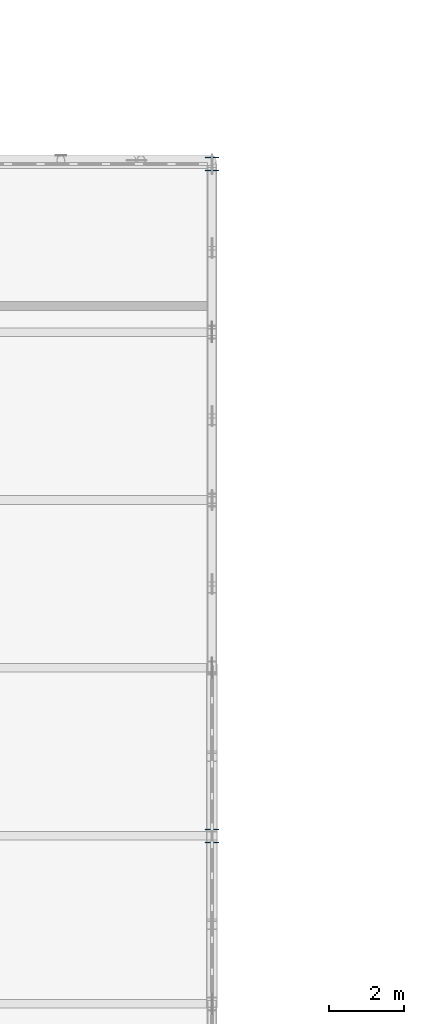
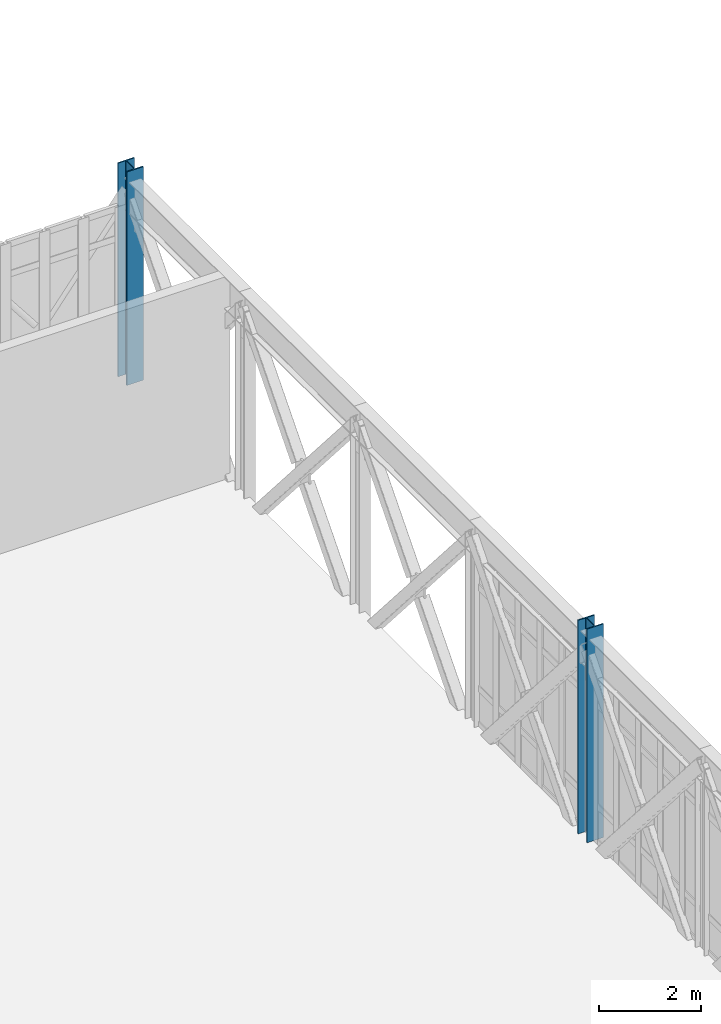
# One storey, part 5 of 107: 2 columns.
"""IFC4 building model written with IfcOpenShell, lengths in metres."""

from ifc_helpers import new_model, si_unit, direction, frame, origin, origin_2d, place, context, subcontext, project, spatial, i_section, extrude, material, material_profile, profile_set, type_object, element, save


model = new_model("IFC4")

# Units and contexts
model_context = context("Model", 3, precision=1e-05, world=origin(), true_north=direction((0.0, 1.0)))
body_context = subcontext(model_context, "Body", "Model", "MODEL_VIEW")
ifc_project = project(units=[si_unit("LENGTHUNIT", "METRE"), si_unit("AREAUNIT", "SQUARE_METRE"), si_unit("VOLUMEUNIT", "CUBIC_METRE"), si_unit("PLANEANGLEUNIT", "RADIAN"), si_unit("MASSUNIT", "GRAM", prefix="KILO")], contexts=[model_context])

# Site, building, storey
site_placement = place(None, origin())
site = spatial("IfcSite", under=ifc_project, at=site_placement, CompositionType="ELEMENT")
building_placement = place(site_placement, origin())
building = spatial("IfcBuilding", under=site, at=building_placement, Name="Tarnveldt Square Police Headquarters", CompositionType="ELEMENT")
storey_placement = place(building_placement, frame((0.0, 0.0, 14.699951171875)))
storey = spatial("IfcBuildingStorey", under=building, at=storey_placement, Name="L03", CompositionType="ELEMENT", Elevation=14.699951171875)

# Columns
ifc_material = material(Name="Steel 350W", Category="steel")
ifc_material_profile = material_profile(ifc_material, i_section(OverallWidth=0.3740234375, OverallDepth=0.3720703125, WebThickness=0.016357421875, FlangeThickness=0.026123046875, FilletRadius=0.01611328125, at=origin_2d()), Name="W360x196")
ifc_profile_set = profile_set([ifc_material_profile], Name="Steel 350W")
column_type = type_object("IfcColumnType", Name="COL-W360x196", PredefinedType="COLUMN", material=ifc_profile_set)
for number, where, z_axis, x_axis, name in (
    (1, (64.800048828125, 16.0, 0.0), (0.0, 0.0, 1.0), (1.0, 0.0, 0.0), "L03 Column 095"),
    (2, (64.800048828125, 34.0, 0.0), (0.0, 0.0, 1.0), (1.0, 0.0, 0.0), "L03 Column 096"),
):
    element("IfcColumn", number, at=place(storey_placement, frame(where, z_axis=z_axis, x_axis=x_axis)), inside=storey, type_object=column_type, Name=name, PredefinedType="COLUMN", context=body_context, shape_type="SweptSolid", body=[
        extrude(i_section(OverallWidth=0.3740234375, OverallDepth=0.3720703125, WebThickness=0.016357421875, FlangeThickness=0.026123046875, FilletRadius=0.01611328125, at=origin_2d()), origin(), (0.0, 0.0, 1.0), 5.10009765625),
    ])

save(model, "model.ifc")
